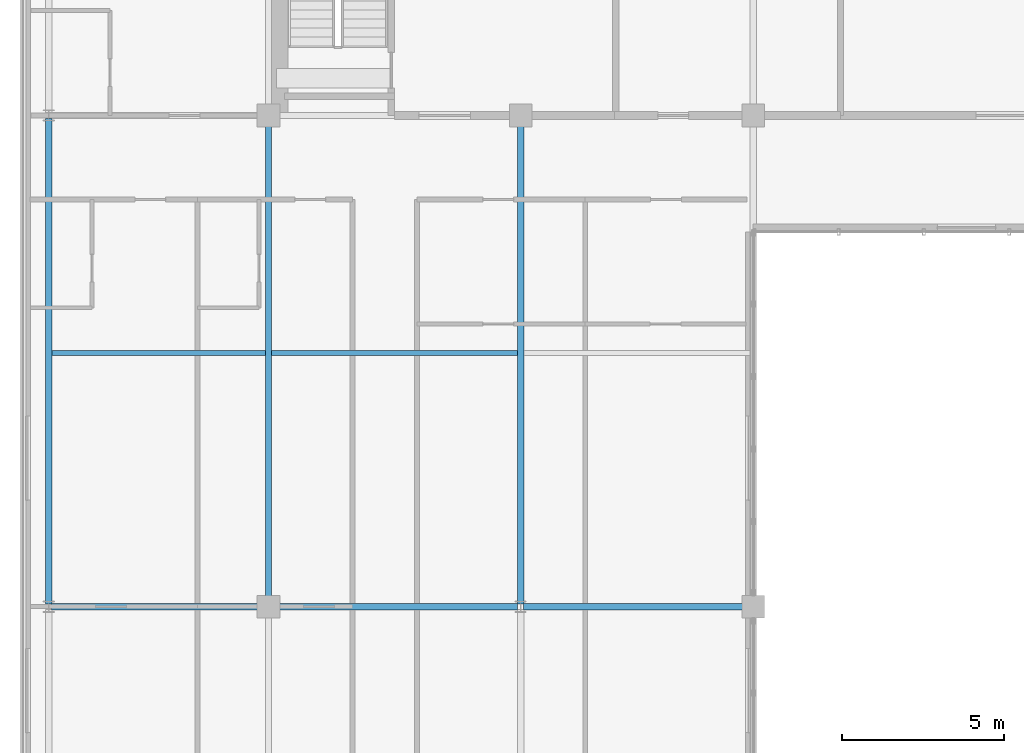
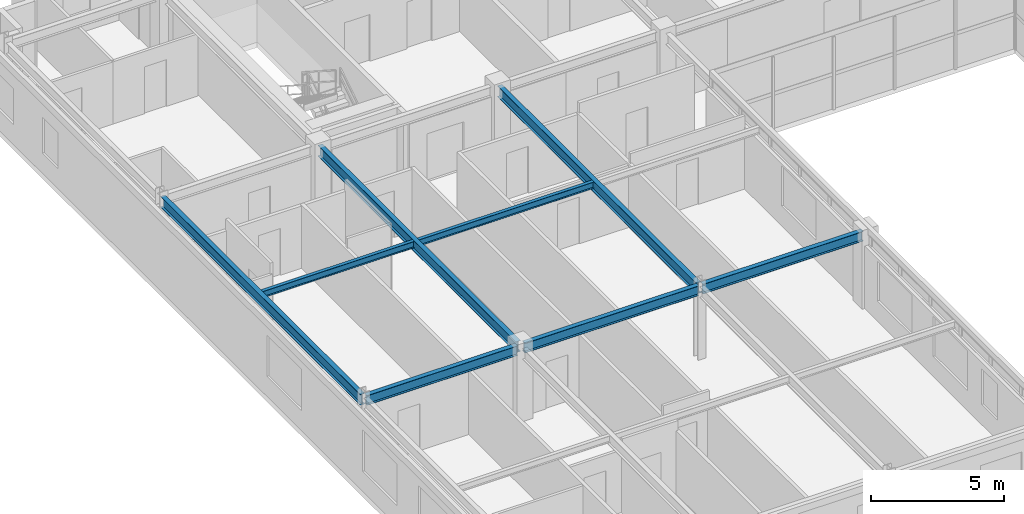
# One storey, part 7 of 35: 8 beams.
"""IFC4 building model written with IfcOpenShell, lengths in metres."""

from ifc_helpers import new_model, si_unit, direction, frame, origin, origin_2d, place, context, subcontext, project, spatial, i_section, extrude, source, transform, mapped, material, material_profile, profile_set, type_object, element, save


model = new_model("IFC4")

# Units and contexts
model_context = context("Model", 3, precision=1e-05, world=origin(), true_north=direction((0.0, 1.0)))
body_context = subcontext(model_context, "Body", "Model", "MODEL_VIEW")
ifc_project = project(units=[si_unit("LENGTHUNIT", "METRE"), si_unit("AREAUNIT", "SQUARE_METRE"), si_unit("VOLUMEUNIT", "CUBIC_METRE"), si_unit("PLANEANGLEUNIT", "RADIAN"), si_unit("MASSUNIT", "GRAM", prefix="KILO")], contexts=[model_context])

# Site, building, storey
site_placement = place(None, origin())
site = spatial("IfcSite", under=ifc_project, at=site_placement, CompositionType="ELEMENT")
building_placement = place(site_placement, origin())
building = spatial("IfcBuilding", under=site, at=building_placement, Name="Trelvane Seafront Commons", CompositionType="ELEMENT")
storey_placement = place(building_placement, frame((0.0, 0.0, 194.10009765625)))
storey = spatial("IfcBuildingStorey", under=building, at=storey_placement, Name="L50", CompositionType="ELEMENT", Elevation=194.10009765625)

# Beams
ifc_material = material(Name="Steel SM355 (S355)", Category="steel")
ifc_material_profile_1 = material_profile(ifc_material, i_section(OverallWidth=0.199951171875, OverallDepth=0.5, WebThickness=0.010009765625, FlangeThickness=0.01611328125, at=origin_2d()), Name="H-500x200x10x16")
ifc_profile_set_1 = profile_set([ifc_material_profile_1], Name="Steel SM355 (S355)")
beam_type_1 = type_object("IfcBeamType", Name="STR-BM-H500", PredefinedType="BEAM", material=ifc_profile_set_1)
shared_shape_1 = source(origin(), body_context, "Body", "SweptSolid", [
    extrude(i_section(OverallWidth=0.199951171875, OverallDepth=0.5, WebThickness=0.010009765625, FlangeThickness=0.01611328125, at=origin_2d()), origin(), (0.0, 0.0, 1.0), 14.89990234375),
])
beam_1_placement = place(storey_placement, frame((15.60009765625, 18.35009765625, 3.10986328125), z_axis=(0.0, 1.0, 0.0), x_axis=(-1.0, 0.0, 0.0)))
element("IfcBeam", 1, at=beam_1_placement, inside=storey, type_object=beam_type_1, Name="L50 Primary Girder G-33", PredefinedType="BEAM", context=body_context, shape_type="MappedRepresentation", body=[
    mapped(shared_shape_1, transform((0.0, 0.0, 0.0), x_axis=(1.0, 0.0, 0.0), y_axis=(0.0, 1.0, 0.0), z_axis=(0.0, 0.0, 1.0), scale=1.0)),
])
ifc_material_profile_2 = material_profile(ifc_material, i_section(OverallWidth=0.199951171875, OverallDepth=0.449951171875, WebThickness=0.009033203125, FlangeThickness=0.013916015625, at=origin_2d()), Name="H-450x200x9x14")
ifc_profile_set_2 = profile_set([ifc_material_profile_2], Name="Steel SM355 (S355)")
beam_type_2 = type_object("IfcBeamType", Name="STR-SPD-H450", PredefinedType="SPANDREL", material=ifc_profile_set_2)
shared_shape_2 = source(origin(), body_context, "Body", "SweptSolid", [
    extrude(i_section(OverallWidth=0.199951171875, OverallDepth=0.449951171875, WebThickness=0.009033203125, FlangeThickness=0.013916015625, at=origin_2d()), origin(), (0.0, 0.0, 1.0), 6.5625),
])
beam_2_placement = place(storey_placement, frame((8.887451171875, 18.199951171875, 3.135009765625), z_axis=(1.0, 0.0, 0.0), x_axis=(0.0, 1.0, 0.0)))
element("IfcBeam", 2, at=beam_2_placement, inside=storey, type_object=beam_type_2, Name="L50 Primary Girder G-08", PredefinedType="SPANDREL", context=body_context, shape_type="MappedRepresentation", body=[
    mapped(shared_shape_2, transform((0.0, 0.0, 0.0), x_axis=(1.0, 0.0, 0.0), y_axis=(0.0, 1.0, 0.0), z_axis=(0.0, 0.0, 1.0), scale=1.0)),
])
shared_shape_3 = source(origin(), body_context, "Body", "SweptSolid", [
    extrude(i_section(OverallWidth=0.199951171875, OverallDepth=0.449951171875, WebThickness=0.009033203125, FlangeThickness=0.013916015625, at=origin_2d()), origin(), (0.0, 0.0, 1.0), 7.5625),
])
beam_3_placement = place(storey_placement, frame((15.75, 18.199951171875, 3.135009765625), z_axis=(1.0, 0.0, 0.0), x_axis=(0.0, 1.0, 0.0)))
element("IfcBeam", 3, at=beam_3_placement, inside=storey, type_object=beam_type_2, Name="L50 Primary Girder G-09", PredefinedType="SPANDREL", context=body_context, shape_type="MappedRepresentation", body=[
    mapped(shared_shape_3, transform((0.0, 0.0, 0.0), x_axis=(1.0, 0.0, 0.0), y_axis=(0.0, 1.0, 0.0), z_axis=(0.0, 0.0, 1.0), scale=1.0)),
])
shared_shape_4 = source(origin(), body_context, "Body", "SweptSolid", [
    extrude(i_section(OverallWidth=0.199951171875, OverallDepth=0.449951171875, WebThickness=0.009033203125, FlangeThickness=0.013916015625, at=origin_2d()), origin(), (0.0, 0.0, 1.0), 6.96240234375),
])
beam_4_placement = place(storey_placement, frame((23.487548828125, 18.199951171875, 3.135009765625), z_axis=(1.0, 0.0, 0.0), x_axis=(0.0, 1.0, 0.0)))
element("IfcBeam", 4, at=beam_4_placement, inside=storey, type_object=beam_type_2, Name="L50 Primary Girder G-10", PredefinedType="SPANDREL", context=body_context, shape_type="MappedRepresentation", body=[
    mapped(shared_shape_4, transform((0.0, 0.0, 0.0), x_axis=(1.0, 0.0, 0.0), y_axis=(0.0, 1.0, 0.0), z_axis=(0.0, 0.0, 1.0), scale=1.0)),
])
shared_shape_5 = source(origin(), body_context, "Body", "SweptSolid", [
    extrude(i_section(OverallWidth=0.199951171875, OverallDepth=0.5, WebThickness=0.010009765625, FlangeThickness=0.01611328125, at=origin_2d()), origin(), (0.0, 0.0, 1.0), 15.02490234375),
])
beam_5_placement = place(storey_placement, frame((8.800048828125, 18.28759765625, 3.10986328125), z_axis=(0.0, 1.0, 0.0), x_axis=(-1.0, 0.0, 0.0)))
element("IfcBeam", 5, at=beam_5_placement, inside=storey, type_object=beam_type_1, Name="L50 Primary Girder G-30", PredefinedType="BEAM", context=body_context, shape_type="MappedRepresentation", body=[
    mapped(shared_shape_5, transform((0.0, 0.0, 0.0), x_axis=(1.0, 0.0, 0.0), y_axis=(0.0, 1.0, 0.0), z_axis=(0.0, 0.0, 1.0), scale=1.0)),
])
shared_shape_6 = source(origin(), body_context, "Body", "SweptSolid", [
    extrude(i_section(OverallWidth=0.199951171875, OverallDepth=0.5, WebThickness=0.010009765625, FlangeThickness=0.01611328125, at=origin_2d()), origin(), (0.0, 0.0, 1.0), 14.96240234375),
])
beam_6_placement = place(storey_placement, frame((23.39990234375, 18.28759765625, 3.10986328125), z_axis=(0.0, 1.0, 0.0), x_axis=(-1.0, 0.0, 0.0)))
element("IfcBeam", 6, at=beam_6_placement, inside=storey, type_object=beam_type_1, Name="L50 Primary Girder G-36", PredefinedType="BEAM", context=body_context, shape_type="MappedRepresentation", body=[
    mapped(shared_shape_6, transform((0.0, 0.0, 0.0), x_axis=(1.0, 0.0, 0.0), y_axis=(0.0, 1.0, 0.0), z_axis=(0.0, 0.0, 1.0), scale=1.0)),
])
ifc_material_profile_3 = material_profile(ifc_material, i_section(OverallWidth=0.14990234375, OverallDepth=0.300048828125, WebThickness=0.006591796875, FlangeThickness=0.009033203125, at=origin_2d()), Name="H-300x150x6.5x9")
ifc_profile_set_3 = profile_set([ifc_material_profile_3], Name="Steel SM355 (S355)")
beam_type_3 = type_object("IfcBeamType", Name="STR-JST-H300", PredefinedType="JOIST", material=ifc_profile_set_3)
shared_shape_7 = source(origin(), body_context, "Body", "SweptSolid", [
    extrude(i_section(OverallWidth=0.14990234375, OverallDepth=0.300048828125, WebThickness=0.006591796875, FlangeThickness=0.009033203125, at=origin_2d()), origin(), (0.0, 0.0, 1.0), 6.60009765625),
])
beam_7_placement = place(storey_placement, frame((8.89990234375, 26.050048828125, 3.2099609375), z_axis=(1.0, 0.0, 0.0), x_axis=(0.0, 1.0, 0.0)))
element("IfcBeam", 7, at=beam_7_placement, inside=storey, type_object=beam_type_3, Name="L50 Secondary Floor Joist B-60", PredefinedType="JOIST", context=body_context, shape_type="MappedRepresentation", body=[
    mapped(shared_shape_7, transform((0.0, 0.0, 0.0), x_axis=(1.0, 0.0, 0.0), y_axis=(0.0, 1.0, 0.0), z_axis=(0.0, 0.0, 1.0), scale=1.0)),
])
shared_shape_8 = source(origin(), body_context, "Body", "SweptSolid", [
    extrude(i_section(OverallWidth=0.14990234375, OverallDepth=0.300048828125, WebThickness=0.006591796875, FlangeThickness=0.009033203125, at=origin_2d()), origin(), (0.0, 0.0, 1.0), 7.60009765625),
])
beam_8_placement = place(storey_placement, frame((15.699951171875, 26.050048828125, 3.2099609375), z_axis=(1.0, 0.0, 0.0), x_axis=(0.0, 1.0, 0.0)))
element("IfcBeam", 8, at=beam_8_placement, inside=storey, type_object=beam_type_3, Name="L50 Secondary Floor Joist B-61", PredefinedType="JOIST", context=body_context, shape_type="MappedRepresentation", body=[
    mapped(shared_shape_8, transform((0.0, 0.0, 0.0), x_axis=(1.0, 0.0, 0.0), y_axis=(0.0, 1.0, 0.0), z_axis=(0.0, 0.0, 1.0), scale=1.0)),
])

save(model, "model.ifc")
